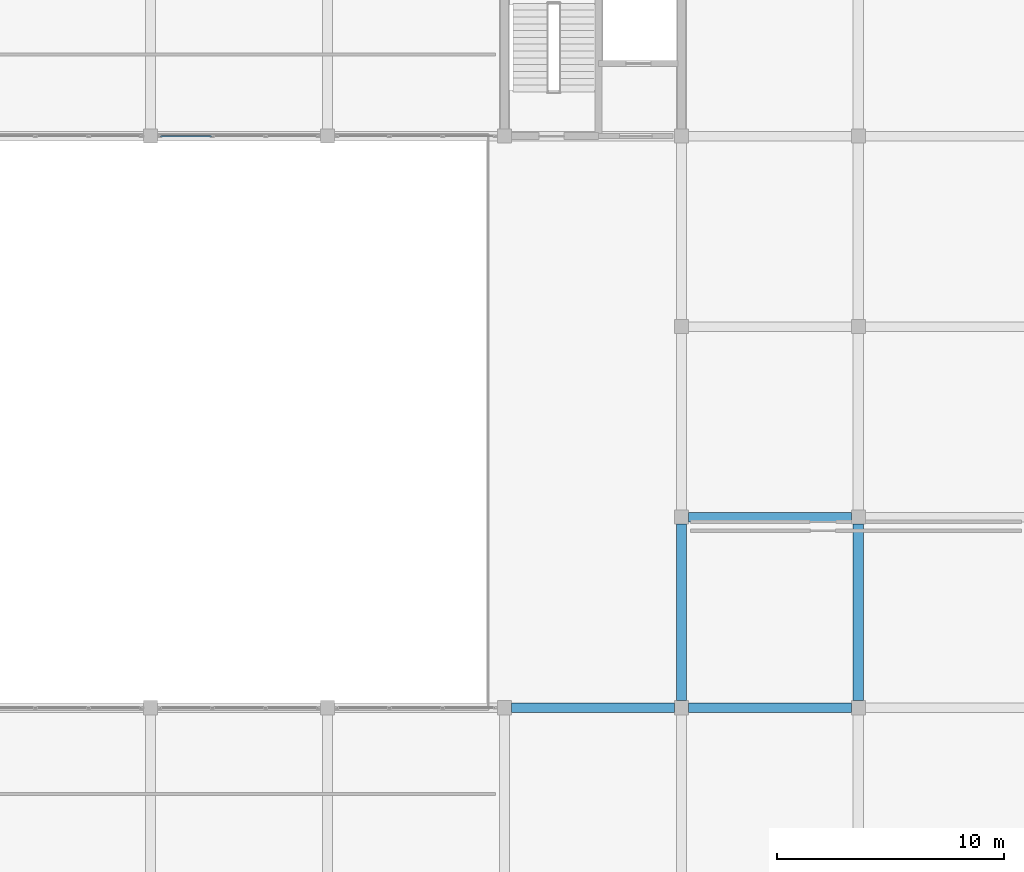
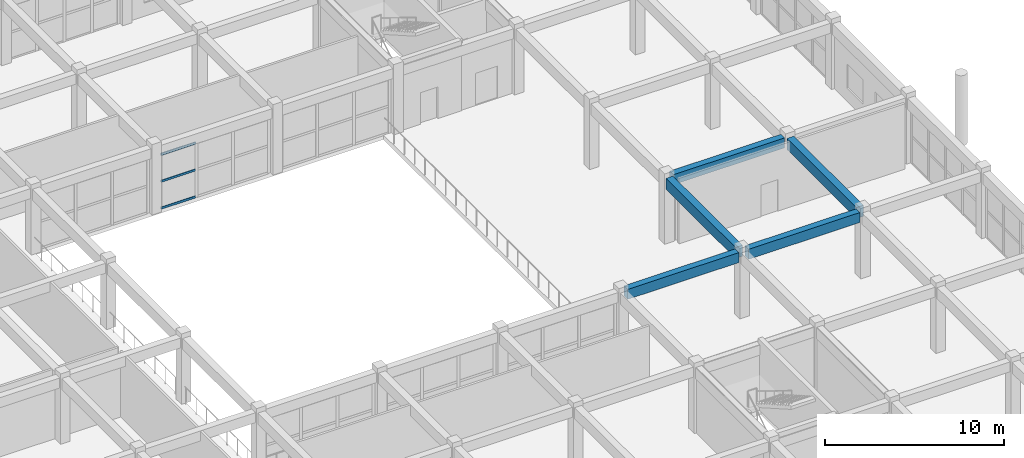
# One storey, part 99 of 167: 5 beams, 3 members, 1 element without a shape of its own.
"""IFC4 building model written with IfcOpenShell, lengths in metres."""

from ifc_helpers import new_model, si_unit, direction, frame, origin, origin_2d, place, context, subcontext, project, spatial, rectangle, hollow_rectangle, extrude, material, layer, layer_set, material_profile, profile_set, type_object, element, aggregate, save


model = new_model("IFC4")

# Units and contexts
model_context = context("Model", 3, precision=1e-05, world=origin(), true_north=direction((0.0, 1.0)))
body_context = subcontext(model_context, "Body", "Model", "MODEL_VIEW")
ifc_project = project(units=[si_unit("LENGTHUNIT", "METRE"), si_unit("AREAUNIT", "SQUARE_METRE"), si_unit("VOLUMEUNIT", "CUBIC_METRE"), si_unit("PLANEANGLEUNIT", "RADIAN"), si_unit("MASSUNIT", "GRAM", prefix="KILO")], contexts=[model_context])

# Site, building, storey
site_placement = place(None, origin())
site = spatial("IfcSite", under=ifc_project, at=site_placement, CompositionType="ELEMENT")
building_placement = place(site_placement, origin())
building = spatial("IfcBuilding", under=site, at=building_placement, Name="Zizhar Promenade General Hospital", CompositionType="ELEMENT")
storey_placement = place(building_placement, frame((0.0, 0.0, 9.60009765625)))
storey = spatial("IfcBuildingStorey", under=building, at=storey_placement, Name="L02", CompositionType="ELEMENT", Elevation=9.60009765625)

# Beams
ifc_material_1 = material(Name="Concrete C35/45", Category="concrete")
ifc_material_profile_1 = material_profile(ifc_material_1, rectangle(XDim=0.419921875, YDim=0.679931640625, at=origin_2d()))
ifc_profile_set_1 = profile_set([ifc_material_profile_1], Name="Concrete C35/45")
beam_type_1 = type_object("IfcBeamType", Name="BM-RC-420x680", PredefinedType="JOIST", material=ifc_profile_set_1)
beam_placement = place(storey_placement, frame((171.909912109375, 67.199951171875, 4.1298828125), z_axis=(1.0, 0.0, 0.0), x_axis=(0.0, 1.0, 0.0)))
element("IfcBeam", 1, at=beam_placement, inside=storey, type_object=beam_type_1, Name="Grid Beam X L02 (22-8)", PredefinedType="JOIST", context=body_context, shape_type="SweptSolid", body=[
    extrude(rectangle(XDim=0.419921875, YDim=0.679931640625, at=origin_2d()), origin(), (0.0, 0.0, 1.0), 7.18017578125),
])
for number, where, z_axis, x_axis, name in (
    (2, (179.7099609375, 67.199951171875, 4.1298828125), (1.0, 0.0, 0.0), (0.0, 1.0, 0.0), "Grid Beam X L02 (23-8)"),
    (3, (179.7099609375, 75.60009765625, 4.1298828125), (1.0, 0.0, 0.0), (0.0, 1.0, 0.0), "Grid Beam X L02 (23-9)"),
):
    element("IfcBeam", number, at=place(storey_placement, frame(where, z_axis=z_axis, x_axis=x_axis)), inside=storey, type_object=beam_type_1, Name=name, PredefinedType="JOIST", context=body_context, shape_type="SweptSolid", body=[
        extrude(rectangle(XDim=0.419921875, YDim=0.679931640625, at=origin_2d()), origin(), (0.0, 0.0, 1.0), 7.179931640625),
    ])
ifc_material_2 = material(Name="Concrete C35/45", Category="concrete")
ifc_material_profile_2 = material_profile(ifc_material_2, rectangle(XDim=0.449951171875, YDim=0.75, at=origin_2d()))
ifc_profile_set_2 = profile_set([ifc_material_profile_2], Name="Concrete C35/45")
beam_type_2 = type_object("IfcBeamType", Name="BM-RC-450x750", PredefinedType="BEAM", material=ifc_profile_set_2)
for number, where, z_axis, x_axis, name in (
    (4, (179.39990234375, 67.510009765625, 4.094970703125), (0.0, 1.0, 0.0), (-1.0, 0.0, 0.0), "Grid Beam Y L02 (23-8)"),
    (5, (187.199951171875, 67.510009765625, 4.094970703125), (0.0, 1.0, 0.0), (-1.0, 0.0, 0.0), "Grid Beam Y L02 (24-8)"),
):
    element("IfcBeam", number, at=place(storey_placement, frame(where, z_axis=z_axis, x_axis=x_axis)), inside=storey, type_object=beam_type_2, Name=name, PredefinedType="BEAM", context=body_context, shape_type="SweptSolid", body=[
        extrude(rectangle(XDim=0.449951171875, YDim=0.75, at=origin_2d()), origin(), (0.0, 0.0, 1.0), 7.780029296875),
    ])

# Curtain wall, members
ifc_material_3 = material(Name="Anodised aluminium 6063-T6 and low-E glass", Category="aluminium")
ifc_layer = layer(ifc_material_3, 0.159912109375)
ifc_layer_set = layer_set([ifc_layer], Name="Anodised aluminium 6063-T6 and low-E glass")
curtain_wall_type = type_object("IfcCurtainWallType", Name="CW-CLN-CRT", PredefinedType="NOTDEFINED", material=ifc_layer_set)
curtain_wall_placement = place(storey_placement, origin())
curtain_wall = element("IfcCurtainWall", 6, at=curtain_wall_placement, inside=storey, type_object=curtain_wall_type, Name="East Light Court North Glazing L02-20", PredefinedType="NOTDEFINED")
ifc_material_4 = material(Name="Anodised aluminium 6063-T6", Category="aluminium")
ifc_material_profile_3 = material_profile(ifc_material_4, hollow_rectangle(XDim=0.06005859375, YDim=0.14990234375, WallThickness=0.00390625, at=origin_2d()))
ifc_profile_set_3 = profile_set([ifc_material_profile_3], Name="Anodised aluminium 6063-T6")
member_type = type_object("IfcMemberType", Name="CWT-ALU-150x60", PredefinedType="USERDEFINED", material=ifc_profile_set_3)
member_1_placement = place(storey_placement, frame((158.679931640625, 92.39990234375, 0.02978515625), z_axis=(-1.0, 0.0, 0.0), x_axis=(0.0, -1.0, 0.0)))
member_1 = element("IfcMember", 7, at=member_1_placement, type_object=member_type, Name="CW-10 transom 3.1", ObjectType="TRANSOM", PredefinedType="USERDEFINED", context=body_context, shape_type="SweptSolid", body=[
    extrude(hollow_rectangle(XDim=0.06005859375, YDim=0.14990234375, WallThickness=0.00390625, at=origin_2d()), origin(), (0.0, 0.0, 1.0), 2.239990234375),
])
member_2_placement = place(storey_placement, frame((158.679931640625, 92.39990234375, 1.864990234375), z_axis=(-1.0, 0.0, 0.0), x_axis=(0.0, -1.0, 0.0)))
member_2 = element("IfcMember", 8, at=member_2_placement, type_object=member_type, Name="CW-10 transom 3.2", ObjectType="TRANSOM", PredefinedType="USERDEFINED", context=body_context, shape_type="SweptSolid", body=[
    extrude(hollow_rectangle(XDim=0.06005859375, YDim=0.14990234375, WallThickness=0.00390625, at=origin_2d()), origin(), (0.0, 0.0, 1.0), 2.239990234375),
])
member_3_placement = place(storey_placement, frame((158.679931640625, 92.39990234375, 3.699951171875), z_axis=(-1.0, 0.0, 0.0), x_axis=(0.0, -1.0, 0.0)))
member_3 = element("IfcMember", 9, at=member_3_placement, type_object=member_type, Name="CW-10 transom 3.3", ObjectType="TRANSOM", PredefinedType="USERDEFINED", context=body_context, shape_type="SweptSolid", body=[
    extrude(hollow_rectangle(XDim=0.06005859375, YDim=0.14990234375, WallThickness=0.00390625, at=origin_2d()), origin(), (0.0, 0.0, 1.0), 2.239990234375),
])
aggregate(curtain_wall, [member_1, member_2, member_3])

save(model, "model.ifc")
